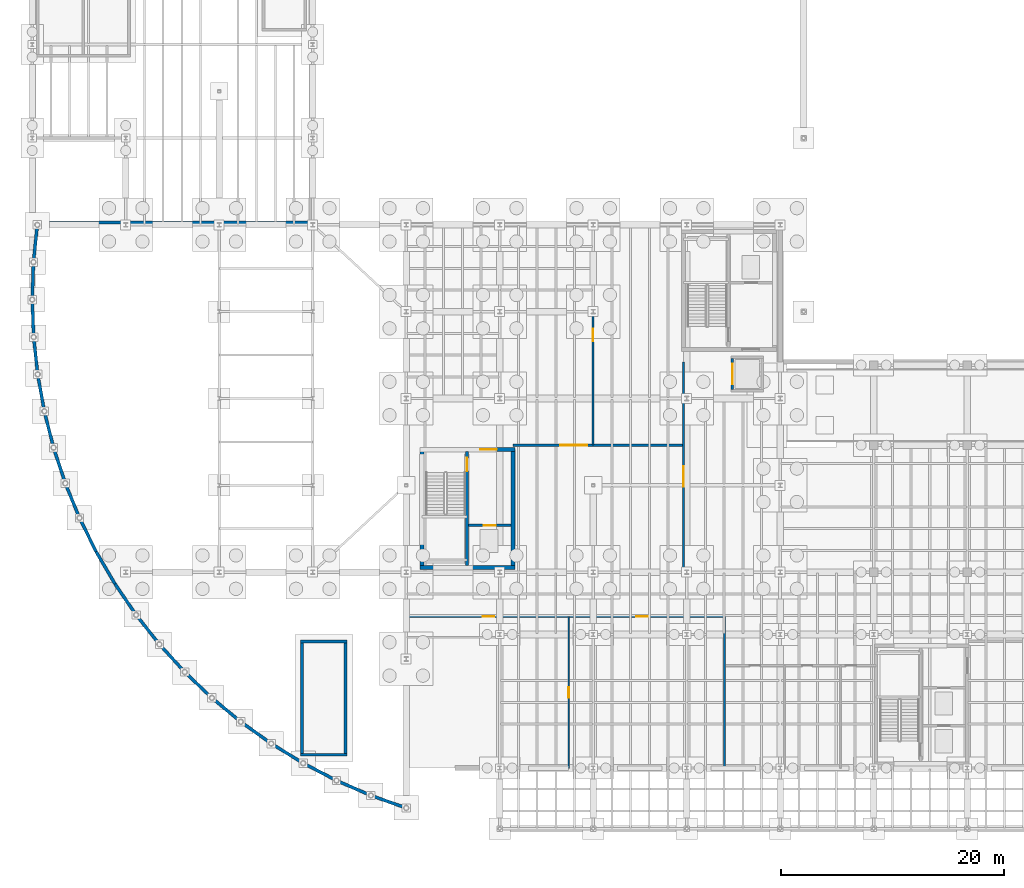
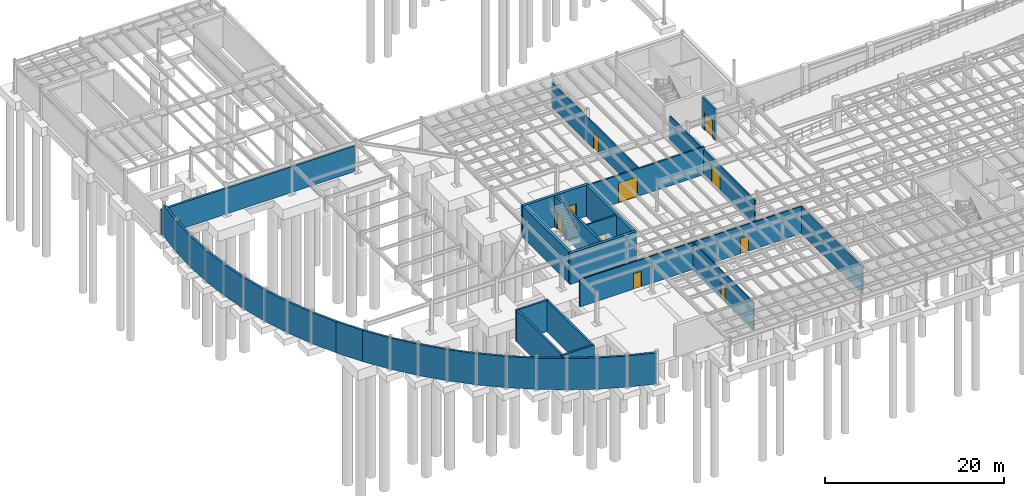
# One storey, part 33 of 41: 38 walls, 10 doors, 10 openings.
"""IFC4 building model written with IfcOpenShell, lengths in metres."""

from ifc_helpers import new_model, si_unit, direction, frame, frame_2d, origin, place, context, subcontext, project, spatial, rectangle, extrude, material, layer, layer_set, type_object, element, fill, save


model = new_model("IFC4")

# Units and contexts
model_context = context("Model", 3, precision=1e-05, world=origin(), true_north=direction((0.0, 1.0)))
body_context = subcontext(model_context, "Body", "Model", "MODEL_VIEW")
ifc_project = project(units=[si_unit("LENGTHUNIT", "METRE"), si_unit("AREAUNIT", "SQUARE_METRE"), si_unit("VOLUMEUNIT", "CUBIC_METRE"), si_unit("PLANEANGLEUNIT", "RADIAN"), si_unit("MASSUNIT", "GRAM", prefix="KILO")], contexts=[model_context])

# Site, building, storey
site_placement = place(None, origin())
site = spatial("IfcSite", under=ifc_project, at=site_placement, CompositionType="ELEMENT")
building_placement = place(site_placement, origin())
building = spatial("IfcBuilding", under=site, at=building_placement, Name="Selat Folded Stagehouse", CompositionType="ELEMENT")
storey_placement = place(building_placement, frame((0.0, 0.0, -4.5)))
storey = spatial("IfcBuildingStorey", under=building, at=storey_placement, Name="B1", CompositionType="ELEMENT", Elevation=-4.5)

# Wall, opening, door
ifc_material_1 = material(Name="Concrete C40/50", Category="concrete")
ifc_layer_1 = layer(ifc_material_1, 0.179931640625)
ifc_layer_set_1 = layer_set([ifc_layer_1], Name="Concrete C40/50")
wall_type_1 = type_object("IfcWallType", Name="WAL-COMP-180", PredefinedType="STANDARD", material=ifc_layer_set_1)
wall_1_placement = place(storey_placement, frame((58.5, 23.39990234375, 0.0), z_axis=(0.0, 0.0, 1.0), x_axis=(0.0, 1.0, 0.0)))
wall_1 = element("IfcWall", 1, at=wall_1_placement, inside=storey, type_object=wall_type_1, Name="B1 interior partition wall 002", PredefinedType="STANDARD", context=body_context, shape_type="SweptSolid", body=[
    extrude(rectangle(XDim=18.900146484375, YDim=0.179931640625, at=frame_2d((9.4501953125, 0.0))), origin(), (0.0, 0.0, 1.0), 3.361083984375),
])
opening_1_placement = place(wall_1_placement, frame((7.672607421875, 0.0, 0.0)))
opening_1 = element("IfcOpeningElement", 2, at=opening_1_placement, cuts=wall_1, Name="Opening WD-02", PredefinedType="OPENING", context=body_context, shape_type="SweptSolid", body=[
    extrude(rectangle(XDim=1.85009765625, YDim=2.39990234375, at=frame_2d((0.925048828125, 1.199951171875))), frame((0.0, 0.099853515625, 0.0), z_axis=(0.0, -1.0, 0.0), x_axis=(1.0, 0.0, 0.0)), (0.0, 0.0, 1.0), 0.199951171875),
])
ifc_material_2 = material(Name="Wardrobe and props double door", Category="wood")
door_type_1 = type_object("IfcDoorType", Name="DOR-WK-1850", OperationType="NOTDEFINED", PredefinedType="DOOR", material=ifc_material_2)
door_1_placement = place(opening_1_placement, origin())
door_1 = element("IfcDoor", 3, at=door_1_placement, inside=storey, type_object=door_type_1, Name="B1 interior door IWAL-B1-002-1", OperationType="SINGLE_SWING_RIGHT", OverallHeight=2.39990234375, OverallWidth=1.85009765625, PredefinedType="DOOR", context=body_context, shape_type="SweptSolid", body=[
    extrude(rectangle(XDim=1.85009765625, YDim=2.39990234375, at=frame_2d((0.925048828125, 1.199951171875))), frame((0.0, 0.02490234375, 0.0), z_axis=(0.0, -1.0, 0.0), x_axis=(1.0, 0.0, 0.0)), (0.0, 0.0, 1.0), 0.050048828125),
])
fill(opening_1, door_1)

wall_2_placement = place(storey_placement, frame((50.39990234375, 34.800048828125, 0.0), z_axis=(0.0, 0.0, 1.0), x_axis=(0.0, 1.0, 0.0)))
wall_2 = element("IfcWall", 4, at=wall_2_placement, inside=storey, type_object=wall_type_1, Name="B1 interior partition wall 003", PredefinedType="STANDARD", context=body_context, shape_type="SweptSolid", body=[
    extrude(rectangle(XDim=19.800048828125, YDim=0.179931640625, at=frame_2d((9.89990234375, 0.0))), origin(), (0.0, 0.0, 1.0), 3.361083984375),
])
opening_2_placement = place(wall_2_placement, frame((9.35009765625, 0.0, 0.0)))
opening_2 = element("IfcOpeningElement", 5, at=opening_2_placement, cuts=wall_2, Name="Opening FD-60", PredefinedType="OPENING", context=body_context, shape_type="SweptSolid", body=[
    extrude(rectangle(XDim=1.10009765625, YDim=2.14990234375, at=frame_2d((0.550048828125, 1.074951171875))), frame((0.0, 0.099853515625, 0.0), z_axis=(0.0, -1.0, 0.0), x_axis=(1.0, 0.0, 0.0)), (0.0, 0.0, 1.0), 0.199951171875),
])
ifc_material_3 = material(Name="Fire-rated timber core door", Category="wood")
door_type_2 = type_object("IfcDoorType", Name="DOR-FIRE-60", OperationType="NOTDEFINED", PredefinedType="DOOR", material=ifc_material_3)
door_2_placement = place(opening_2_placement, origin())
door_2 = element("IfcDoor", 6, at=door_2_placement, inside=storey, type_object=door_type_2, Name="B1 interior door IWAL-B1-003-1", OperationType="SINGLE_SWING_LEFT", OverallHeight=2.14990234375, OverallWidth=1.10009765625, PredefinedType="DOOR", context=body_context, shape_type="SweptSolid", body=[
    extrude(rectangle(XDim=1.10009765625, YDim=2.14990234375, at=frame_2d((0.550048828125, 1.074951171875))), frame((0.0, 0.02490234375, 0.0), z_axis=(0.0, -1.0, 0.0), x_axis=(1.0, 0.0, 0.0)), (0.0, 0.0, 1.0), 0.050048828125),
])
fill(opening_2, door_2)

ifc_layer_2 = layer(ifc_material_1, 0.215087890625)
ifc_layer_set_2 = layer_set([ifc_layer_2], Name="Concrete C40/50")
wall_type_2 = type_object("IfcWallType", Name="WAL-COMP-215", PredefinedType="STANDARD", material=ifc_layer_set_2)
wall_3_placement = place(storey_placement, frame((39.2099609375, 27.60009765625, 0.0), z_axis=(0.0, 0.0, 1.0), x_axis=(1.0, 0.0, 0.0)))
wall_3 = element("IfcWall", 7, at=wall_3_placement, inside=storey, type_object=wall_type_2, Name="B1 FL-01 lift shaft front wall", PredefinedType="STANDARD", context=body_context, shape_type="SweptSolid", body=[
    extrude(rectangle(XDim=3.794921875, YDim=0.215087890625, at=frame_2d((1.8974609375, 0.0))), origin(), (0.0, 0.0, 1.0), 4.241943359375),
])
opening_3_placement = place(wall_3_placement, frame((1.347412109375, 0.0, 0.0)))
opening_3 = element("IfcOpeningElement", 8, at=opening_3_placement, cuts=wall_3, Name="Opening LD-01", PredefinedType="OPENING", context=body_context, shape_type="SweptSolid", body=[
    extrude(rectangle(XDim=1.10009765625, YDim=2.199951171875, at=frame_2d((0.550048828125, 1.10009765625))), frame((0.0, 0.117431640625, 0.0), z_axis=(0.0, -1.0, 0.0), x_axis=(1.0, 0.0, 0.0)), (0.0, 0.0, 1.0), 0.235107421875),
])
ifc_material_4 = material(Name="Firefighting lift stainless sliding landing door", Category="wood")
door_type_3 = type_object("IfcDoorType", Name="DOR-LFT-1100", OperationType="NOTDEFINED", PredefinedType="DOOR", material=ifc_material_4)
door_3_placement = place(opening_3_placement, origin())
door_3 = element("IfcDoor", 9, at=door_3_placement, inside=storey, type_object=door_type_3, Name="B1 FL-01 lift sliding landing door", OperationType="SLIDING_TO_LEFT", OverallHeight=2.199951171875, OverallWidth=1.10009765625, PredefinedType="DOOR", context=body_context, shape_type="SweptSolid", body=[
    extrude(rectangle(XDim=1.10009765625, YDim=2.199951171875, at=frame_2d((0.550048828125, 1.10009765625))), frame((0.0, 0.02490234375, 0.0), z_axis=(0.0, -1.0, 0.0), x_axis=(1.0, 0.0, 0.0)), (0.0, 0.0, 1.0), 0.050048828125),
])
fill(opening_3, door_3)

wall_4_placement = place(storey_placement, frame((62.89990234375, 39.8076171875, 0.0), z_axis=(0.0, 0.0, 1.0), x_axis=(0.0, 1.0, 0.0)))
wall_4 = element("IfcWall", 10, at=wall_4_placement, inside=storey, type_object=wall_type_2, Name="B1 GL-01 west front wall", PredefinedType="STANDARD", context=body_context, shape_type="SweptSolid", body=[
    extrude(rectangle(XDim=2.784912109375, YDim=0.215087890625, at=frame_2d((1.392578125, 0.0))), origin(), (0.0, 0.0, 1.0), 4.241943359375),
])
opening_4_placement = place(wall_4_placement, frame((0.492431640625, 0.0, 0.0)))
opening_4 = element("IfcOpeningElement", 11, at=opening_4_placement, cuts=wall_4, Name="Opening LD-02", PredefinedType="OPENING", context=body_context, shape_type="SweptSolid", body=[
    extrude(rectangle(XDim=1.800048828125, YDim=2.39990234375, at=frame_2d((0.89990234375, 1.199951171875))), frame((0.0, 0.117431640625, 0.0), z_axis=(0.0, -1.0, 0.0), x_axis=(1.0, 0.0, 0.0)), (0.0, 0.0, 1.0), 0.235107421875),
])
ifc_material_5 = material(Name="Goods lift heavy sliding landing door", Category="wood")
door_type_4 = type_object("IfcDoorType", Name="DOR-LFT-1800", OperationType="NOTDEFINED", PredefinedType="DOOR", material=ifc_material_5)
door_4_placement = place(opening_4_placement, origin())
door_4 = element("IfcDoor", 12, at=door_4_placement, inside=storey, type_object=door_type_4, Name="B1 GL-01 lift sliding landing door", OperationType="SLIDING_TO_RIGHT", OverallHeight=2.39990234375, OverallWidth=1.800048828125, PredefinedType="DOOR", context=body_context, shape_type="SweptSolid", body=[
    extrude(rectangle(XDim=1.800048828125, YDim=2.39990234375, at=frame_2d((0.89990234375, 1.199951171875))), frame((0.0, 0.02490234375, 0.0), z_axis=(0.0, -1.0, 0.0), x_axis=(1.0, 0.0, 0.0)), (0.0, 0.0, 1.0), 0.050048828125),
])
fill(opening_4, door_4)

wall_5_placement = place(storey_placement, frame((43.199951171875, 34.800048828125, 0.0), z_axis=(0.0, 0.0, 1.0), x_axis=(1.0, 0.0, 0.0)))
wall_5 = element("IfcWall", 13, at=wall_5_placement, inside=storey, type_object=wall_type_2, Name="B1 interior partition wall 001", PredefinedType="STANDARD", context=body_context, shape_type="SweptSolid", body=[
    extrude(rectangle(XDim=15.300048828125, YDim=0.215087890625, at=frame_2d((7.64990234375, 0.0))), origin(), (0.0, 0.0, 1.0), 3.758544921875),
])
opening_5_placement = place(wall_5_placement, frame((4.257080078125, 0.0, 0.0)))
opening_5 = element("IfcOpeningElement", 14, at=opening_5_placement, cuts=wall_5, Name="Opening SD-01", PredefinedType="OPENING", context=body_context, shape_type="SweptSolid", body=[
    extrude(rectangle(XDim=2.39990234375, YDim=2.699951171875, at=frame_2d((1.199951171875, 1.35009765625))), frame((0.0, 0.117431640625, 0.0), z_axis=(0.0, -1.0, 0.0), x_axis=(1.0, 0.0, 0.0)), (0.0, 0.0, 1.0), 0.235107421875),
])
ifc_material_6 = material(Name="Stage crossover heavy acoustic double door", Category="wood")
door_type_5 = type_object("IfcDoorType", Name="DOR-STG-2400", OperationType="NOTDEFINED", PredefinedType="DOOR", material=ifc_material_6)
door_5_placement = place(opening_5_placement, origin())
door_5 = element("IfcDoor", 15, at=door_5_placement, inside=storey, type_object=door_type_5, Name="B1 interior door IWAL-B1-001-1", OperationType="SINGLE_SWING_LEFT", OverallHeight=2.699951171875, OverallWidth=2.39990234375, PredefinedType="DOOR", context=body_context, shape_type="SweptSolid", body=[
    extrude(rectangle(XDim=2.39990234375, YDim=2.699951171875, at=frame_2d((1.199951171875, 1.35009765625))), frame((0.0, 0.02490234375, 0.0), z_axis=(0.0, -1.0, 0.0), x_axis=(1.0, 0.0, 0.0)), (0.0, 0.0, 1.0), 0.050048828125),
])
fill(opening_5, door_5)

# Walls
ifc_material_7 = material(Name="Concrete C50/60", Category="concrete")
ifc_layer_3 = layer(ifc_material_7, 0.25)
ifc_layer_set_3 = layer_set([ifc_layer_3], Name="Concrete C50/60")
wall_type_3 = type_object("IfcWallType", Name="WAL-CORE-250", PredefinedType="SHEAR", material=ifc_layer_set_3)
for number, where, z_axis, x_axis, name in (
    (16, (28.264892578125, 7.0, 0.0), (0.0, 0.0, 1.0), (-1.0, 0.0, 0.0), "B1 ST-09 substructure stem wall S"),
    (17, (24.114990234375, 17.159912109375, 0.0), (0.0, 0.0, 1.0), (1.0, 0.0, 0.0), "B1 ST-09 substructure stem wall N"),
):
    element("IfcWall", number, at=place(storey_placement, frame(where, z_axis=z_axis, x_axis=x_axis)), inside=storey, type_object=wall_type_3, Name=name, PredefinedType="SHEAR", context=body_context, shape_type="SweptSolid", body=[
        extrude(rectangle(XDim=4.14990234375, YDim=0.25, at=frame_2d((2.074951171875, 0.0))), origin(), (0.0, 0.0, 1.0), 4.239990234375),
    ])
for number, where, z_axis, x_axis, name in (
    (18, (24.239990234375, 7.125, 0.0), (0.0, 0.0, 1.0), (0.0, 1.0, 0.0), "B1 ST-09 substructure stem wall W"),
    (19, (28.139892578125, 17.034912109375, 0.0), (0.0, 0.0, 1.0), (0.0, -1.0, 0.0), "B1 ST-09 substructure stem wall E"),
):
    element("IfcWall", number, at=place(storey_placement, frame(where, z_axis=z_axis, x_axis=x_axis)), inside=storey, type_object=wall_type_3, Name=name, PredefinedType="SHEAR", context=body_context, shape_type="SweptSolid", body=[
        extrude(rectangle(XDim=9.909912109375, YDim=0.25, at=frame_2d((4.955078125, 0.0))), origin(), (0.0, 0.0, 1.0), 4.239990234375),
    ])

# Wall, opening, door
wall_6_placement = place(storey_placement, frame((39.050048828125, 34.22509765625, 0.0), z_axis=(0.0, 0.0, 1.0), x_axis=(0.0, -1.0, 0.0)))
wall_6 = element("IfcWall", 20, at=wall_6_placement, inside=storey, type_object=wall_type_3, Name="B1 CR-1 internal core divider wall", PredefinedType="SHEAR", context=body_context, shape_type="SweptSolid", body=[
    extrude(rectangle(XDim=10.25, YDim=0.25, at=frame_2d((5.125, 0.0))), origin(), (0.0, 0.0, 1.0), 4.25),
])
opening_6_placement = place(wall_6_placement, frame((0.550048828125, 0.0, 0.0)))
opening_6 = element("IfcOpeningElement", 21, at=opening_6_placement, cuts=wall_6, Name="Opening FD-120", PredefinedType="OPENING", context=body_context, shape_type="SweptSolid", body=[
    extrude(rectangle(XDim=1.199951171875, YDim=2.14990234375, at=frame_2d((0.60009765625, 1.074951171875))), frame((0.0, 0.135009765625, 0.0), z_axis=(0.0, -1.0, 0.0), x_axis=(1.0, 0.0, 0.0)), (0.0, 0.0, 1.0), 0.27001953125),
])
ifc_material_8 = material(Name="Fire-rated steel acoustic door", Category="steel")
door_type_6 = type_object("IfcDoorType", Name="DOR-FIRE-120", OperationType="NOTDEFINED", PredefinedType="DOOR", material=ifc_material_8)
door_6_placement = place(opening_6_placement, origin())
door_6 = element("IfcDoor", 22, at=door_6_placement, inside=storey, type_object=door_type_6, Name="B1 CR-1 protected stair fire door", OperationType="SINGLE_SWING_LEFT", OverallHeight=2.14990234375, OverallWidth=1.199951171875, PredefinedType="DOOR", context=body_context, shape_type="SweptSolid", body=[
    extrude(rectangle(XDim=1.199951171875, YDim=2.14990234375, at=frame_2d((0.60009765625, 1.074951171875))), frame((0.0, 0.02490234375, 0.0), z_axis=(0.0, -1.0, 0.0), x_axis=(1.0, 0.0, 0.0)), (0.0, 0.0, 1.0), 0.050048828125),
])
fill(opening_6, door_6)

ifc_material_9 = material(Name="Standard acoustic drywall partition", Category="gypsum")
ifc_layer_4 = layer(ifc_material_9, 0.125)
ifc_layer_set_4 = layer_set([ifc_layer_4], Name="Standard acoustic drywall partition")
wall_type_4 = type_object("IfcWallType", Name="WAL-PART-125", PredefinedType="PARTITIONING", material=ifc_layer_set_4)
wall_7_placement = place(storey_placement, frame((48.199951171875, 5.800048828125, 0.0), z_axis=(0.0, 0.0, 1.0), x_axis=(0.0, 1.0, 0.0)))
wall_7 = element("IfcWall", 23, at=wall_7_placement, inside=storey, type_object=wall_type_4, Name="B1 interior partition wall 005", PredefinedType="PARTITIONING", context=body_context, shape_type="SweptSolid", body=[
    extrude(rectangle(XDim=13.599853515625, YDim=0.125, at=frame_2d((6.7998046875, 0.0))), origin(), (0.0, 0.0, 1.0), 3.708740234375),
])
opening_7_placement = place(wall_7_placement, frame((6.330078125, 0.0, 0.0)))
opening_7 = element("IfcOpeningElement", 24, at=opening_7_placement, cuts=wall_7, Name="Opening ID-03", PredefinedType="OPENING", context=body_context, shape_type="SweptSolid", body=[
    extrude(rectangle(XDim=0.93994140625, YDim=2.10009765625, at=frame_2d((0.469970703125, 1.050048828125))), frame((0.0, 0.072509765625, 0.0), z_axis=(0.0, -1.0, 0.0), x_axis=(1.0, 0.0, 0.0)), (0.0, 0.0, 1.0), 0.14501953125),
])
ifc_material_10 = material(Name="Backstage room single door", Category="wood")
door_type_7 = type_object("IfcDoorType", Name="DOR-GEN-0940", OperationType="NOTDEFINED", PredefinedType="DOOR", material=ifc_material_10)
door_7_placement = place(opening_7_placement, origin())
door_7 = element("IfcDoor", 25, at=door_7_placement, inside=storey, type_object=door_type_7, Name="B1 interior door IWAL-B1-005-1", OperationType="SINGLE_SWING_RIGHT", OverallHeight=2.10009765625, OverallWidth=0.93994140625, PredefinedType="DOOR", context=body_context, shape_type="SweptSolid", body=[
    extrude(rectangle(XDim=0.93994140625, YDim=2.10009765625, at=frame_2d((0.469970703125, 1.050048828125))), frame((0.0, 0.02490234375, 0.0), z_axis=(0.0, -1.0, 0.0), x_axis=(1.0, 0.0, 0.0)), (0.0, 0.0, 1.0), 0.050048828125),
])
fill(opening_7, door_7)

# Wall, openings, doors
ifc_material_11 = material(Name="Fire-rated drywall stud partition", Category="gypsum")
ifc_layer_5 = layer(ifc_material_11, 0.14990234375)
ifc_layer_set_5 = layer_set([ifc_layer_5], Name="Fire-rated drywall stud partition")
wall_type_5 = type_object("IfcWallType", Name="WAL-PART-150", PredefinedType="PARTITIONING", material=ifc_layer_set_5)
wall_8_placement = place(storey_placement, frame((33.60009765625, 19.39990234375, 0.0), z_axis=(0.0, 0.0, 1.0), x_axis=(1.0, 0.0, 0.0)))
wall_8 = element("IfcWall", 26, at=wall_8_placement, inside=storey, type_object=wall_type_5, Name="B1 interior partition wall 004", PredefinedType="PARTITIONING", context=body_context, shape_type="SweptSolid", body=[
    extrude(rectangle(XDim=28.599853515625, YDim=0.14990234375, at=frame_2d((14.2998046875, 0.0))), origin(), (0.0, 0.0, 1.0), 3.70263671875),
])
opening_8_placement = place(wall_8_placement, frame((6.89501953125, 0.0, 0.0)))
opening_8 = element("IfcOpeningElement", 27, at=opening_8_placement, cuts=wall_8, Name="Opening ID-01", PredefinedType="OPENING", context=body_context, shape_type="SweptSolid", body=[
    extrude(rectangle(XDim=1.02001953125, YDim=2.10009765625, at=frame_2d((0.510009765625, 1.050048828125))), frame((0.0, 0.0849609375, 0.0), z_axis=(0.0, -1.0, 0.0), x_axis=(1.0, 0.0, 0.0)), (0.0, 0.0, 1.0), 0.169921875),
])
opening_9_placement = place(wall_8_placement, frame((20.68505859375, 0.0, 0.0)))
opening_9 = element("IfcOpeningElement", 28, at=opening_9_placement, cuts=wall_8, Name="Opening ID-01", PredefinedType="OPENING", context=body_context, shape_type="SweptSolid", body=[
    extrude(rectangle(XDim=1.02001953125, YDim=2.10009765625, at=frame_2d((0.510009765625, 1.050048828125))), frame((0.0, 0.0849609375, 0.0), z_axis=(0.0, -1.0, 0.0), x_axis=(1.0, 0.0, 0.0)), (0.0, 0.0, 1.0), 0.169921875),
])
ifc_material_12 = material(Name="Performers dressing suite door", Category="wood")
door_type_8 = type_object("IfcDoorType", Name="DOR-DRS-1020", OperationType="NOTDEFINED", PredefinedType="DOOR", material=ifc_material_12)
door_8_placement = place(opening_8_placement, origin())
door_8 = element("IfcDoor", 29, at=door_8_placement, inside=storey, type_object=door_type_8, Name="B1 interior door IWAL-B1-004-1", OperationType="SINGLE_SWING_RIGHT", OverallHeight=2.10009765625, OverallWidth=1.02001953125, PredefinedType="DOOR", context=body_context, shape_type="SweptSolid", body=[
    extrude(rectangle(XDim=1.02001953125, YDim=2.10009765625, at=frame_2d((0.510009765625, 1.050048828125))), frame((0.0, 0.02490234375, 0.0), z_axis=(0.0, -1.0, 0.0), x_axis=(1.0, 0.0, 0.0)), (0.0, 0.0, 1.0), 0.050048828125),
])
fill(opening_8, door_8)
door_9_placement = place(opening_9_placement, origin())
door_9 = element("IfcDoor", 30, at=door_9_placement, inside=storey, type_object=door_type_8, Name="B1 interior door IWAL-B1-004-2", OperationType="SINGLE_SWING_LEFT", OverallHeight=2.10009765625, OverallWidth=1.02001953125, PredefinedType="DOOR", context=body_context, shape_type="SweptSolid", body=[
    extrude(rectangle(XDim=1.02001953125, YDim=2.10009765625, at=frame_2d((0.510009765625, 1.050048828125))), frame((0.0, 0.02490234375, 0.0), z_axis=(0.0, -1.0, 0.0), x_axis=(1.0, 0.0, 0.0)), (0.0, 0.0, 1.0), 0.050048828125),
])
fill(opening_9, door_9)

# Walls
ifc_material_13 = material(Name="Precast concrete C40/50", Category="concrete")
ifc_layer_6 = layer(ifc_material_13, 0.280029296875)
ifc_layer_set_6 = layer_set([ifc_layer_6], Name="Precast concrete C40/50")
wall_type_6 = type_object("IfcWallType", Name="WAL-PLINTH-280", PredefinedType="STANDARD", material=ifc_layer_set_6)
wall_9_placement = place(storey_placement, frame((0.199951171875, 54.800048828125, 0.0), z_axis=(0.0, 0.0, 1.0), x_axis=(1.0, 0.0, 0.0)))
element("IfcWall", 31, at=wall_9_placement, inside=storey, type_object=wall_type_6, Name="B1 substructure plinth wall 12", PredefinedType="STANDARD", context=body_context, shape_type="SweptSolid", body=[
    extrude(rectangle(XDim=24.800048828125, YDim=0.280029296875, at=frame_2d((12.39990234375, 0.0))), origin(), (0.0, 0.0, 1.0), 3.5),
])
wall_10_placement = place(storey_placement, frame((0.455810546875, 54.60009765625, 0.0), z_axis=(0.0, 0.0, 1.0), x_axis=(-0.102609885069, -0.994721675388, 0.0)))
element("IfcWall", 32, at=wall_10_placement, inside=storey, type_object=wall_type_6, Name="B1 substructure plinth wall 16", PredefinedType="STANDARD", context=body_context, shape_type="SweptSolid", body=[
    extrude(rectangle(XDim=3.369140625, YDim=0.280029296875, at=frame_2d((1.6845703125, 0.0))), origin(), (0.0, 0.0, 1.0), 4.239990234375),
])
wall_11_placement = place(storey_placement, frame((0.110107421875, 51.248779296875, 0.0), z_axis=(0.0, 0.0, 1.0), x_axis=(-0.03268264694, -0.999465779599, 0.0)))
element("IfcWall", 33, at=wall_11_placement, inside=storey, type_object=wall_type_6, Name="B1 substructure plinth wall 17", PredefinedType="STANDARD", context=body_context, shape_type="SweptSolid", body=[
    extrude(rectangle(XDim=3.368896484375, YDim=0.280029296875, at=frame_2d((1.6845703125, 0.0))), origin(), (0.0, 0.0, 1.0), 4.239990234375),
])
wall_12_placement = place(storey_placement, frame((0.0, 47.881591796875, 0.0), z_axis=(0.0, 0.0, 1.0), x_axis=(0.03760934134, -0.999292518457, 0.0)))
element("IfcWall", 34, at=wall_12_placement, inside=storey, type_object=wall_type_6, Name="B1 substructure plinth wall 18", PredefinedType="STANDARD", context=body_context, shape_type="SweptSolid", body=[
    extrude(rectangle(XDim=3.369140625, YDim=0.280029296875, at=frame_2d((1.6845703125, 0.0))), origin(), (0.0, 0.0, 1.0), 4.239990234375),
])
wall_13_placement = place(storey_placement, frame((0.126708984375, 44.514892578125, 0.0), z_axis=(0.0, 0.0, 1.0), x_axis=(0.107543794494, -0.994200348152, 0.0)))
element("IfcWall", 35, at=wall_13_placement, inside=storey, type_object=wall_type_6, Name="B1 substructure plinth wall 19", PredefinedType="STANDARD", context=body_context, shape_type="SweptSolid", body=[
    extrude(rectangle(XDim=3.368896484375, YDim=0.280029296875, at=frame_2d((1.6845703125, 0.0))), origin(), (0.0, 0.0, 1.0), 4.239990234375),
])
wall_14_placement = place(storey_placement, frame((0.489013671875, 41.16552734375, 0.0), z_axis=(0.0, 0.0, 1.0), x_axis=(0.177029462848, -0.984205552354, 0.0)))
element("IfcWall", 36, at=wall_14_placement, inside=storey, type_object=wall_type_6, Name="B1 substructure plinth wall 20", PredefinedType="STANDARD", context=body_context, shape_type="SweptSolid", body=[
    extrude(rectangle(XDim=3.369140625, YDim=0.280029296875, at=frame_2d((1.6845703125, 0.0))), origin(), (0.0, 0.0, 1.0), 4.239990234375),
])
for number, where, z_axis, x_axis, name in (
    (37, (1.08544921875, 37.849609375, 0.0), (0.0, 0.0, 1.0), (0.245671863024, -0.96935305009, 0.0), "B1 substructure plinth wall 21"),
    (38, (1.9130859375, 34.583984375, 0.0), (0.0, 0.0, 1.0), (0.312986630522, -0.949757531749, 0.0), "B1 substructure plinth wall 22"),
):
    element("IfcWall", number, at=place(storey_placement, frame(where, z_axis=z_axis, x_axis=x_axis)), inside=storey, type_object=wall_type_6, Name=name, PredefinedType="STANDARD", context=body_context, shape_type="SweptSolid", body=[
        extrude(rectangle(XDim=3.368896484375, YDim=0.280029296875, at=frame_2d((1.6845703125, 0.0))), origin(), (0.0, 0.0, 1.0), 4.239990234375),
    ])
for number, where, z_axis, x_axis, name in (
    (39, (2.967529296875, 31.38427734375, 0.0), (0.0, 0.0, 1.0), (0.3788501038, -0.925458048131, 0.0), "B1 substructure plinth wall 23"),
    (40, (4.243896484375, 28.266357421875, 0.0), (0.0, 0.0, 1.0), (0.442889628602, -0.896576141148, 0.0), "B1 substructure plinth wall 24"),
):
    element("IfcWall", number, at=place(storey_placement, frame(where, z_axis=z_axis, x_axis=x_axis)), inside=storey, type_object=wall_type_6, Name=name, PredefinedType="STANDARD", context=body_context, shape_type="SweptSolid", body=[
        extrude(rectangle(XDim=3.369140625, YDim=0.280029296875, at=frame_2d((1.6845703125, 0.0))), origin(), (0.0, 0.0, 1.0), 4.239990234375),
    ])
for number, where, z_axis, x_axis, name in (
    (41, (5.736083984375, 25.24560546875, 0.0), (0.0, 0.0, 1.0), (0.504668336107, -0.863313309599, 0.0), "B1 substructure plinth wall 25"),
    (42, (7.436279296875, 22.337158203125, 0.0), (0.0, 0.0, 1.0), (0.563964056933, -0.825799335485, 0.0), "B1 substructure plinth wall 26"),
):
    element("IfcWall", number, at=place(storey_placement, frame(where, z_axis=z_axis, x_axis=x_axis)), inside=storey, type_object=wall_type_6, Name=name, PredefinedType="STANDARD", context=body_context, shape_type="SweptSolid", body=[
        extrude(rectangle(XDim=3.368896484375, YDim=0.280029296875, at=frame_2d((1.6845703125, 0.0))), origin(), (0.0, 0.0, 1.0), 4.239990234375),
    ])
for number, where, z_axis, x_axis, name in (
    (43, (9.336181640625, 19.55517578125, 0.0), (0.0, 0.0, 1.0), (0.62050618255, -0.784201554077, 0.0), "B1 substructure plinth wall 27"),
    (44, (11.4267578125, 16.9130859375, 0.0), (0.0, 0.0, 1.0), (0.674009862858, -0.738722346197, 0.0), "B1 substructure plinth wall 28"),
):
    element("IfcWall", number, at=place(storey_placement, frame(where, z_axis=z_axis, x_axis=x_axis)), inside=storey, type_object=wall_type_6, Name=name, PredefinedType="STANDARD", context=body_context, shape_type="SweptSolid", body=[
        extrude(rectangle(XDim=3.369140625, YDim=0.280029296875, at=frame_2d((1.6845703125, 0.0))), origin(), (0.0, 0.0, 1.0), 4.239990234375),
    ])
for number, where, z_axis, x_axis, name in (
    (45, (13.697509765625, 14.42431640625, 0.0), (0.0, 0.0, 1.0), (0.724108632634, -0.689685934426, 0.0), "B1 substructure plinth wall 29"),
    (46, (16.136962890625, 12.100830078125, 0.0), (0.0, 0.0, 1.0), (0.770757502018, -0.637128615809, 0.0), "B1 substructure plinth wall 30"),
    (47, (18.733642578125, 9.954345703125, 0.0), (0.0, 0.0, 1.0), (0.813513074284, -0.581546625791, 0.0), "B1 substructure plinth wall 31"),
    (48, (21.474365234375, 7.9951171875, 0.0), (0.0, 0.0, 1.0), (0.852289688317, -0.523070059542, 0.0), "B1 substructure plinth wall 32"),
    (49, (24.345703125, 6.23291015625, 0.0), (0.0, 0.0, 1.0), (0.886928310017, -0.461907104179, 0.0), "B1 substructure plinth wall 33"),
):
    element("IfcWall", number, at=place(storey_placement, frame(where, z_axis=z_axis, x_axis=x_axis)), inside=storey, type_object=wall_type_6, Name=name, PredefinedType="STANDARD", context=body_context, shape_type="SweptSolid", body=[
        extrude(rectangle(XDim=3.368896484375, YDim=0.280029296875, at=frame_2d((1.6845703125, 0.0))), origin(), (0.0, 0.0, 1.0), 4.239990234375),
    ])
for number, where, z_axis, x_axis, name in (
    (50, (27.333740234375, 4.6767578125, 0.0), (0.0, 0.0, 1.0), (0.91711267728, -0.39862806872, 0.0), "B1 substructure plinth wall 34"),
    (51, (30.423583984375, 3.333740234375, 0.0), (0.0, 0.0, 1.0), (0.942833706296, -0.333263562774, 0.0), "B1 substructure plinth wall 35"),
):
    element("IfcWall", number, at=place(storey_placement, frame(where, z_axis=z_axis, x_axis=x_axis)), inside=storey, type_object=wall_type_6, Name=name, PredefinedType="STANDARD", context=body_context, shape_type="SweptSolid", body=[
        extrude(rectangle(XDim=3.369140625, YDim=0.280029296875, at=frame_2d((1.6845703125, 0.0))), origin(), (0.0, 0.0, 1.0), 4.239990234375),
    ])
ifc_material_14 = material(Name="Moisture-resistant sanitary service wall", Category="gypsum")
ifc_layer_7 = layer(ifc_material_14, 0.159912109375)
ifc_layer_set_7 = layer_set([ifc_layer_7], Name="Moisture-resistant sanitary service wall")
wall_type_7 = type_object("IfcWallType", Name="WAL-PLMB-160", PredefinedType="PLUMBINGWALL", material=ifc_layer_set_7)
wall_15_placement = place(storey_placement, frame((62.199951171875, 5.800048828125, 0.0), z_axis=(0.0, 0.0, 1.0), x_axis=(0.0, 1.0, 0.0)))
element("IfcWall", 52, at=wall_15_placement, inside=storey, type_object=wall_type_7, Name="B1 interior partition wall 006", PredefinedType="PLUMBINGWALL", context=body_context, shape_type="SweptSolid", body=[
    extrude(rectangle(XDim=13.599853515625, YDim=0.159912109375, at=frame_2d((6.7998046875, 0.0))), origin(), (0.0, 0.0, 1.0), 3.708740234375),
])
ifc_layer_8 = layer(ifc_material_7, 0.35009765625)
ifc_layer_set_8 = layer_set([ifc_layer_8], Name="Concrete C50/60")
wall_type_8 = type_object("IfcWallType", Name="WAL-SW-350", PredefinedType="SHEAR", material=ifc_layer_set_8)
wall_16_placement = place(storey_placement, frame((43.375, 23.800048828125, 0.0), z_axis=(0.0, 0.0, 1.0), x_axis=(-1.0, 0.0, 0.0)))
element("IfcWall", 53, at=wall_16_placement, inside=storey, type_object=wall_type_8, Name="B1 CR-1 south shear wall", PredefinedType="SHEAR", context=body_context, shape_type="SweptSolid", body=[
    extrude(rectangle(XDim=8.550048828125, YDim=0.35009765625, at=frame_2d((4.27490234375, 0.0))), origin(), (0.0, 0.0, 1.0), 4.25),
])

# Wall, opening, door
wall_17_placement = place(storey_placement, frame((34.824951171875, 34.39990234375, 0.0), z_axis=(0.0, 0.0, 1.0), x_axis=(1.0, 0.0, 0.0)))
wall_17 = element("IfcWall", 54, at=wall_17_placement, inside=storey, type_object=wall_type_8, Name="B1 CR-1 north shear wall", PredefinedType="SHEAR", context=body_context, shape_type="SweptSolid", body=[
    extrude(rectangle(XDim=8.550048828125, YDim=0.35009765625, at=frame_2d((4.27490234375, 0.0))), origin(), (0.0, 0.0, 1.0), 4.25),
])
opening_10_placement = place(wall_17_placement, frame((5.425048828125, 0.0, 0.0)))
opening_10 = element("IfcOpeningElement", 55, at=opening_10_placement, cuts=wall_17, Name="Opening FD-120B", PredefinedType="OPENING", context=body_context, shape_type="SweptSolid", body=[
    extrude(rectangle(XDim=1.5, YDim=2.14990234375, at=frame_2d((0.75, 1.074951171875))), frame((0.0, 0.18505859375, 0.0), z_axis=(0.0, -1.0, 0.0), x_axis=(1.0, 0.0, 0.0)), (0.0, 0.0, 1.0), 0.3701171875),
])
ifc_material_15 = material(Name="Firefighting lobby double-leaf fire door", Category="wood")
door_type_9 = type_object("IfcDoorType", Name="DOR-FFL-1500", OperationType="NOTDEFINED", PredefinedType="DOOR", material=ifc_material_15)
door_10_placement = place(opening_10_placement, origin())
door_10 = element("IfcDoor", 56, at=door_10_placement, inside=storey, type_object=door_type_9, Name="B1 CR-1 core lobby fire door", OperationType="SINGLE_SWING_RIGHT", OverallHeight=2.14990234375, OverallWidth=1.5, PredefinedType="DOOR", context=body_context, shape_type="SweptSolid", body=[
    extrude(rectangle(XDim=1.5, YDim=2.14990234375, at=frame_2d((0.75, 1.074951171875))), frame((0.0, 0.02490234375, 0.0), z_axis=(0.0, -1.0, 0.0), x_axis=(1.0, 0.0, 0.0)), (0.0, 0.0, 1.0), 0.050048828125),
])
fill(opening_10, door_10)

# Walls
for number, where, z_axis, x_axis, name in (
    (57, (35.0, 23.97509765625, 0.0), (0.0, 0.0, 1.0), (0.0, 1.0, 0.0), "B1 CR-1 west shear wall"),
    (58, (43.199951171875, 34.22509765625, 0.0), (0.0, 0.0, 1.0), (0.0, -1.0, 0.0), "B1 CR-1 east shear wall"),
):
    element("IfcWall", number, at=place(storey_placement, frame(where, z_axis=z_axis, x_axis=x_axis)), inside=storey, type_object=wall_type_8, Name=name, PredefinedType="SHEAR", context=body_context, shape_type="SweptSolid", body=[
        extrude(rectangle(XDim=10.25, YDim=0.35009765625, at=frame_2d((5.125, 0.0))), origin(), (0.0, 0.0, 1.0), 4.25),
    ])

save(model, "model.ifc")
